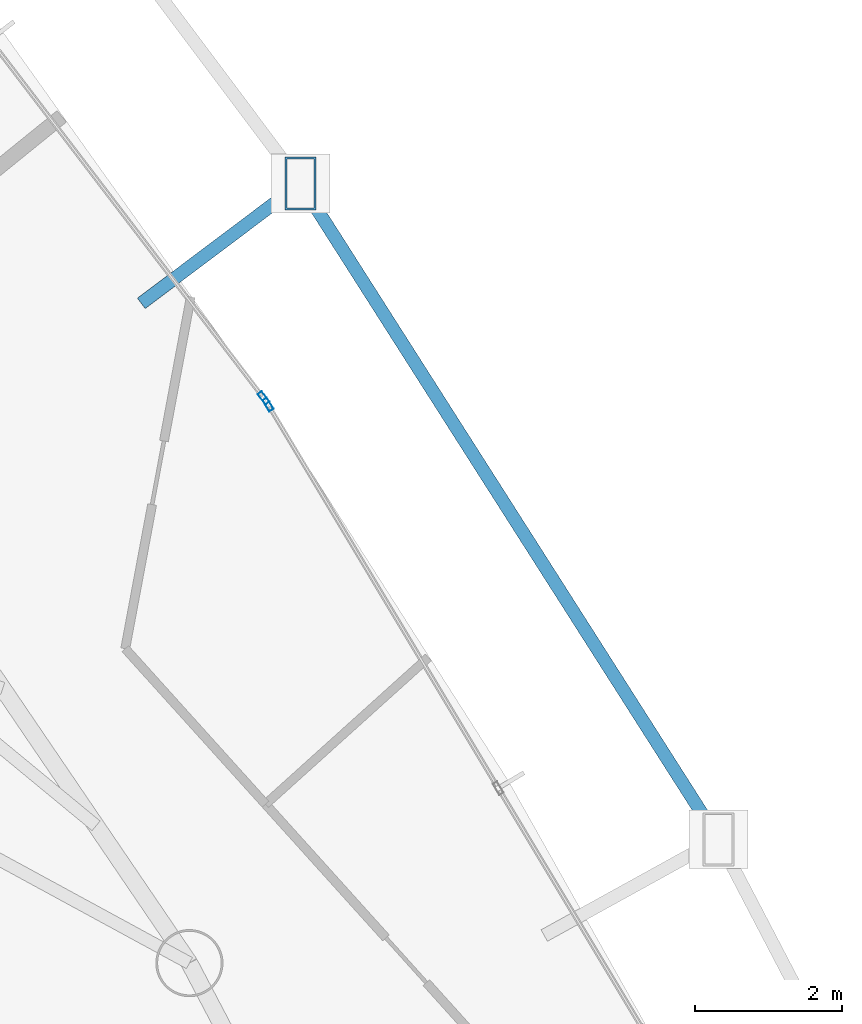
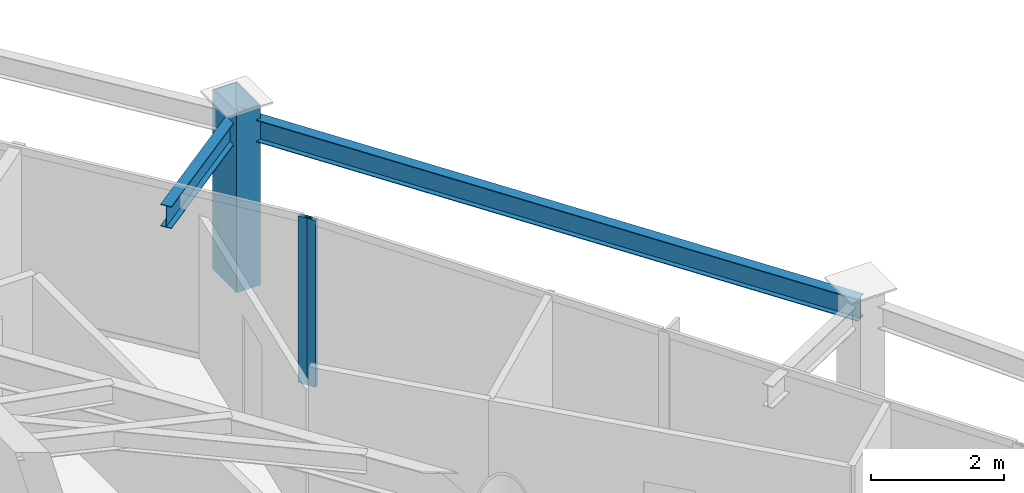
# One storey, part 26 of 34: 3 members, 2 beams, 2 elements without a shape of their own.
"""IFC4 building model written with IfcOpenShell, lengths in metres."""

from ifc_helpers import new_model, si_unit, direction, frame, origin, origin_2d, place, context, subcontext, project, spatial, hollow_rectangle, i_section, extrude, material, layer, layer_set, material_profile, profile_set, type_object, element, aggregate, save


model = new_model("IFC4")

# Units and contexts
model_context = context("Model", 3, precision=1e-05, world=origin(), true_north=direction((0.0, 1.0)))
body_context = subcontext(model_context, "Body", "Model", "MODEL_VIEW")
ifc_project = project(units=[si_unit("LENGTHUNIT", "METRE"), si_unit("AREAUNIT", "SQUARE_METRE"), si_unit("VOLUMEUNIT", "CUBIC_METRE"), si_unit("PLANEANGLEUNIT", "RADIAN"), si_unit("MASSUNIT", "GRAM", prefix="KILO")], contexts=[model_context])

# Site, building, storey
site_placement = place(None, origin())
site = spatial("IfcSite", under=ifc_project, at=site_placement, CompositionType="ELEMENT")
building_placement = place(site_placement, origin())
building = spatial("IfcBuilding", under=site, at=building_placement, Name="Orvanel Arch Residences", CompositionType="ELEMENT")
storey_placement = place(building_placement, frame((0.0, 0.0, 80.75)))
storey = spatial("IfcBuildingStorey", under=building, at=storey_placement, Name="L22", CompositionType="ELEMENT", Elevation=80.75)

# Member
ifc_material_1 = material(Name="Structural steel AS/NZS 3678 Grade 350", Category="steel")
ifc_material_profile_1 = material_profile(ifc_material_1, hollow_rectangle(XDim=0.419921875, YDim=0.719970703125, WallThickness=0.02490234375, at=origin_2d()), Name="RHS720x420x25")
ifc_profile_set_1 = profile_set([ifc_material_profile_1], Name="Structural steel AS/NZS 3678 Grade 350")
member_type_1 = type_object("IfcMemberType", Name="CH-720RHS-EXT", PredefinedType="CHORD", material=ifc_profile_set_1)
member_1_placement = place(storey_placement, frame((46.943115234375, 38.2451171875, 0.0), z_axis=(0.0, 0.0, 1.0), x_axis=(1.0, 0.0, 0.0)))
element("IfcMember", 1, at=member_1_placement, inside=storey, type_object=member_type_1, Name="L22 Outer Perimeter Frame Post 11", PredefinedType="CHORD", context=body_context, shape_type="SweptSolid", body=[
    extrude(hollow_rectangle(XDim=0.419921875, YDim=0.719970703125, WallThickness=0.02490234375, at=origin_2d()), origin(), (0.0, 0.0, 1.0), 3.300048828125),
])

# Curtain wall, member
ifc_material_2 = material(Name="Bronze-anodised aluminium AA6063-T6", Category="aluminium")
ifc_layer = layer(ifc_material_2, 0.179931640625)
ifc_layer_set = layer_set([ifc_layer], Name="Bronze-anodised aluminium AA6063-T6")
curtain_wall_type = type_object("IfcCurtainWallType", Name="CW2-LOW-SYS", PredefinedType="NOTDEFINED", material=ifc_layer_set)
curtain_wall_1_placement = place(storey_placement, origin())
curtain_wall_1 = element("IfcCurtainWall", 2, at=curtain_wall_1_placement, inside=storey, type_object=curtain_wall_type, Name="L22 CW2-LOW-SYS Unitised Curtain Wall", PredefinedType="NOTDEFINED")
ifc_material_profile_2 = material_profile(ifc_material_2, hollow_rectangle(XDim=0.070068359375, YDim=0.179931640625, WallThickness=0.00439453125, at=origin_2d()), Name="ALU180x70x4.5")
ifc_profile_set_2 = profile_set([ifc_material_profile_2], Name="Bronze-anodised aluminium AA6063-T6")
member_type_2 = type_object("IfcMemberType", Name="MUL-180x70", PredefinedType="MULLION", material=ifc_profile_set_2)
member_2_placement = place(storey_placement, frame((46.501953125, 35.239013671875, 0.0), z_axis=(0.0, 0.0, 1.0), x_axis=(-0.85755059276, -0.514399631471, 0.0)))
member_2 = element("IfcMember", 3, at=member_2_placement, type_object=member_type_2, Name="CW-S2 mullion 3", PredefinedType="MULLION", context=body_context, shape_type="SweptSolid", body=[
    extrude(hollow_rectangle(XDim=0.070068359375, YDim=0.179931640625, WallThickness=0.00439453125, at=origin_2d()), origin(), (0.0, 0.0, 1.0), 3.06005859375),
])
aggregate(curtain_wall_1, [member_2])

curtain_wall_2_placement = place(storey_placement, origin())
curtain_wall_2 = element("IfcCurtainWall", 4, at=curtain_wall_2_placement, inside=storey, type_object=curtain_wall_type, Name="L22 CW2-LOW-SYS Unitised Curtain Wall", PredefinedType="NOTDEFINED")
member_3_placement = place(storey_placement, frame((46.440673828125, 35.329833984375, 0.0), z_axis=(0.0, 0.0, 1.0), x_axis=(-0.794739834664, -0.606950241122, 0.0)))
member_3 = element("IfcMember", 5, at=member_3_placement, type_object=member_type_2, Name="CW-S2 mullion 1", PredefinedType="MULLION", context=body_context, shape_type="SweptSolid", body=[
    extrude(hollow_rectangle(XDim=0.070068359375, YDim=0.179931640625, WallThickness=0.00439453125, at=origin_2d()), origin(), (0.0, 0.0, 1.0), 3.06005859375),
])
aggregate(curtain_wall_2, [member_3])

# Beams
ifc_material_3 = material(Name="Structural steel AS/NZS 3679.1 Grade 300 (300 MPa)", Category="steel")
ifc_material_profile_3 = material_profile(ifc_material_3, i_section(OverallWidth=0.177978515625, OverallDepth=0.406005859375, WebThickness=0.0078125, FlangeThickness=0.0126953125, at=origin_2d()), Name="410UB59.7")
ifc_profile_set_3 = profile_set([ifc_material_profile_3], Name="Structural steel AS/NZS 3679.1 Grade 300 (300 MPa)")
beam_type = type_object("IfcBeamType", Name="OB-410UB-EXT", PredefinedType="SPANDREL", material=ifc_profile_set_3)
beam_1_placement = place(storey_placement, frame((52.6279296875, 29.324951171875, 2.85693359375), z_axis=(-0.537436916065, 0.843303955434, 0.0), x_axis=(-0.843303955434, -0.537436916065, 0.0)))
element("IfcBeam", 6, at=beam_1_placement, inside=storey, type_object=beam_type, Name="L22 Outer Perimeter Floor Ring Beam 10", PredefinedType="SPANDREL", context=body_context, shape_type="SweptSolid", body=[
    extrude(i_section(OverallWidth=0.177978515625, OverallDepth=0.406005859375, WebThickness=0.0078125, FlangeThickness=0.0126953125, at=origin_2d()), origin(), (0.0, 0.0, 1.0), 10.57763671875),
])
beam_2_placement = place(storey_placement, frame((44.77587890625, 36.615966796875, 2.85693359375), z_axis=(0.799340378863, 0.600878489147, 0.0), x_axis=(-0.600878489147, 0.799340378863, 0.0)))
element("IfcBeam", 7, at=beam_2_placement, inside=storey, type_object=beam_type, Name="L22 Outer Frame Radial Tie Beam 11", PredefinedType="SPANDREL", context=body_context, shape_type="SweptSolid", body=[
    extrude(i_section(OverallWidth=0.177978515625, OverallDepth=0.406005859375, WebThickness=0.0078125, FlangeThickness=0.0126953125, at=origin_2d()), origin(), (0.0, 0.0, 1.0), 2.711181640625),
])

save(model, "model.ifc")
